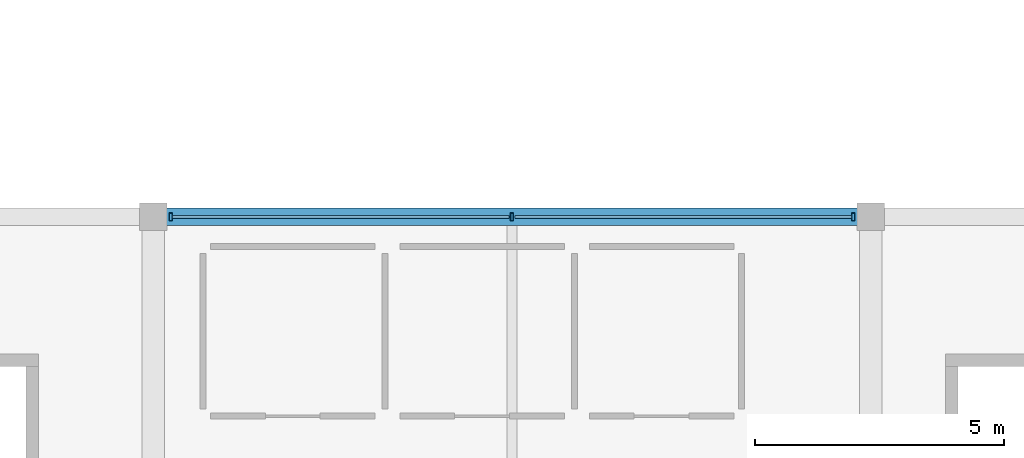
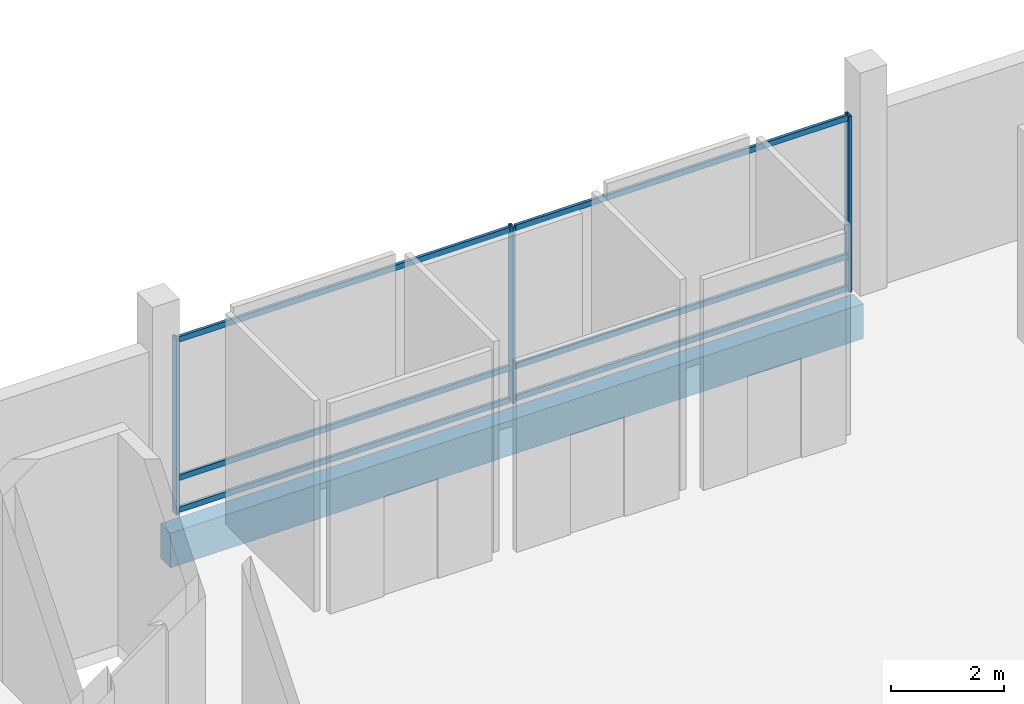
# One storey, part 17 of 116: 9 members, 1 beam, 1 element without a shape of its own.
"""IFC4 building model written with IfcOpenShell, lengths in metres."""

from ifc_helpers import new_model, si_unit, direction, frame, origin, origin_2d, place, context, subcontext, project, spatial, rectangle, hollow_rectangle, extrude, material, material_profile, profile_set, type_object, element, aggregate, save


model = new_model("IFC4")

# Units and contexts
model_context = context("Model", 3, precision=1e-05, world=origin(), true_north=direction((0.0, 1.0)))
body_context = subcontext(model_context, "Body", "Model", "MODEL_VIEW")
ifc_project = project(units=[si_unit("LENGTHUNIT", "METRE"), si_unit("AREAUNIT", "SQUARE_METRE"), si_unit("VOLUMEUNIT", "CUBIC_METRE"), si_unit("PLANEANGLEUNIT", "RADIAN"), si_unit("MASSUNIT", "GRAM", prefix="KILO")], contexts=[model_context])

# Site, building, storey
site_placement = place(None, origin())
site = spatial("IfcSite", under=ifc_project, at=site_placement, CompositionType="ELEMENT")
building_placement = place(site_placement, origin())
building = spatial("IfcBuilding", under=site, at=building_placement, Name="Cendralis Lancet Convention Centre", CompositionType="ELEMENT")
storey_placement = place(building_placement, frame((0.0, 0.0, 15.0)))
storey = spatial("IfcBuildingStorey", under=building, at=storey_placement, Name="L03", CompositionType="ELEMENT", Elevation=15.0)

# Curtain wall, members
ifc_material_1 = material(Name="Anodised bronze architectural aluminium", Category="aluminium")
curtain_wall_type = type_object("IfcCurtainWallType", Name="ARC-CW-CL02", PredefinedType="USERDEFINED", material=ifc_material_1)
curtain_wall_placement = place(storey_placement, origin())
curtain_wall = element("IfcCurtainWall", 1, at=curtain_wall_placement, inside=storey, type_object=curtain_wall_type, Name="L03 Curtain Wall CW-CL2 #176", ObjectType="CURTAIN WALL", PredefinedType="USERDEFINED")
ifc_material_profile_1 = material_profile(ifc_material_1, hollow_rectangle(XDim=0.06005859375, YDim=0.159912109375, WallThickness=0.00390625, at=origin_2d()), Name="AL-MULL 60x160x4.0")
ifc_profile_set_1 = profile_set([ifc_material_profile_1], Name="Anodised bronze architectural aluminium")
member_type_1 = type_object("IfcMemberType", Name="ARC-CW-ML01", PredefinedType="MULLION", material=ifc_profile_set_1)
member_1_placement = place(storey_placement, frame((43.554931640625, 36.0, 0.0), z_axis=(0.0, 0.0, 1.0), x_axis=(1.0, 0.0, 0.0)))
member_1 = element("IfcMember", 2, at=member_1_placement, type_object=member_type_1, Name="Mullion CW2-CW-CL2-L03-176-M0", PredefinedType="MULLION", context=body_context, shape_type="SweptSolid", body=[
    extrude(hollow_rectangle(XDim=0.06005859375, YDim=0.159912109375, WallThickness=0.00390625, at=origin_2d()), origin(), (0.0, 0.0, 1.0), 3.784912109375),
])
member_2_placement = place(storey_placement, frame((50.39990234375, 36.0, 0.0), z_axis=(0.0, 0.0, 1.0), x_axis=(1.0, 0.0, 0.0)))
member_2 = element("IfcMember", 3, at=member_2_placement, type_object=member_type_1, Name="Mullion CW2-CW-CL2-L03-176-M1", PredefinedType="MULLION", context=body_context, shape_type="SweptSolid", body=[
    extrude(hollow_rectangle(XDim=0.06005859375, YDim=0.159912109375, WallThickness=0.00390625, at=origin_2d()), origin(), (0.0, 0.0, 1.0), 3.784912109375),
])
member_3_placement = place(storey_placement, frame((57.2451171875, 36.0, 0.0), z_axis=(0.0, 0.0, 1.0), x_axis=(1.0, 0.0, 0.0)))
member_3 = element("IfcMember", 4, at=member_3_placement, type_object=member_type_1, Name="Mullion CW2-CW-CL2-L03-176-M2", PredefinedType="MULLION", context=body_context, shape_type="SweptSolid", body=[
    extrude(hollow_rectangle(XDim=0.06005859375, YDim=0.159912109375, WallThickness=0.00390625, at=origin_2d()), origin(), (0.0, 0.0, 1.0), 3.784912109375),
])
ifc_material_profile_2 = material_profile(ifc_material_1, hollow_rectangle(XDim=0.06005859375, YDim=0.1201171875, WallThickness=0.00390625, at=origin_2d()), Name="AL-TRAN 60x120x4.0")
ifc_profile_set_2 = profile_set([ifc_material_profile_2], Name="Anodised bronze architectural aluminium")
member_type_2 = type_object("IfcMemberType", Name="ARC-CW-TR01", PredefinedType="USERDEFINED", material=ifc_profile_set_2)
member_4_placement = place(storey_placement, frame((43.5849609375, 36.0, 0.06005859375), z_axis=(1.0, 0.0, 0.0), x_axis=(0.0, 1.0, 0.0)))
member_4 = element("IfcMember", 5, at=member_4_placement, type_object=member_type_2, Name="Transom CW2-CW-CL2-L03-176-T0BOT", ObjectType="TRANSOM", PredefinedType="USERDEFINED", context=body_context, shape_type="SweptSolid", body=[
    extrude(hollow_rectangle(XDim=0.06005859375, YDim=0.1201171875, WallThickness=0.00390625, at=origin_2d()), origin(), (0.0, 0.0, 1.0), 6.755126953125),
])
member_5_placement = place(storey_placement, frame((43.5849609375, 36.0, 0.75), z_axis=(1.0, 0.0, 0.0), x_axis=(0.0, 1.0, 0.0)))
member_5 = element("IfcMember", 6, at=member_5_placement, type_object=member_type_2, Name="Transom CW2-CW-CL2-L03-176-T0MID", ObjectType="TRANSOM", PredefinedType="USERDEFINED", context=body_context, shape_type="SweptSolid", body=[
    extrude(hollow_rectangle(XDim=0.06005859375, YDim=0.1201171875, WallThickness=0.00390625, at=origin_2d()), origin(), (0.0, 0.0, 1.0), 6.755126953125),
])
member_6_placement = place(storey_placement, frame((43.5849609375, 36.0, 3.72509765625), z_axis=(1.0, 0.0, 0.0), x_axis=(0.0, 1.0, 0.0)))
member_6 = element("IfcMember", 7, at=member_6_placement, type_object=member_type_2, Name="Transom CW2-CW-CL2-L03-176-T0TOP", ObjectType="TRANSOM", PredefinedType="USERDEFINED", context=body_context, shape_type="SweptSolid", body=[
    extrude(hollow_rectangle(XDim=0.06005859375, YDim=0.1201171875, WallThickness=0.00390625, at=origin_2d()), origin(), (0.0, 0.0, 1.0), 6.755126953125),
])
member_7_placement = place(storey_placement, frame((50.4599609375, 36.0, 0.06005859375), z_axis=(1.0, 0.0, 0.0), x_axis=(0.0, 1.0, 0.0)))
member_7 = element("IfcMember", 8, at=member_7_placement, type_object=member_type_2, Name="Transom CW2-CW-CL2-L03-176-T1BOT", ObjectType="TRANSOM", PredefinedType="USERDEFINED", context=body_context, shape_type="SweptSolid", body=[
    extrude(hollow_rectangle(XDim=0.06005859375, YDim=0.1201171875, WallThickness=0.00390625, at=origin_2d()), origin(), (0.0, 0.0, 1.0), 6.755126953125),
])
member_8_placement = place(storey_placement, frame((50.4599609375, 36.0, 0.75), z_axis=(1.0, 0.0, 0.0), x_axis=(0.0, 1.0, 0.0)))
member_8 = element("IfcMember", 9, at=member_8_placement, type_object=member_type_2, Name="Transom CW2-CW-CL2-L03-176-T1MID", ObjectType="TRANSOM", PredefinedType="USERDEFINED", context=body_context, shape_type="SweptSolid", body=[
    extrude(hollow_rectangle(XDim=0.06005859375, YDim=0.1201171875, WallThickness=0.00390625, at=origin_2d()), origin(), (0.0, 0.0, 1.0), 6.755126953125),
])
member_9_placement = place(storey_placement, frame((50.4599609375, 36.0, 3.72509765625), z_axis=(1.0, 0.0, 0.0), x_axis=(0.0, 1.0, 0.0)))
member_9 = element("IfcMember", 10, at=member_9_placement, type_object=member_type_2, Name="Transom CW2-CW-CL2-L03-176-T1TOP", ObjectType="TRANSOM", PredefinedType="USERDEFINED", context=body_context, shape_type="SweptSolid", body=[
    extrude(hollow_rectangle(XDim=0.06005859375, YDim=0.1201171875, WallThickness=0.00390625, at=origin_2d()), origin(), (0.0, 0.0, 1.0), 6.755126953125),
])
aggregate(curtain_wall, [member_1, member_2, member_3, member_4, member_5, member_6, member_7, member_8, member_9])

# Beam
ifc_material_2 = material(Name="Concrete G40 (C40/50)", Category="concrete")
ifc_material_profile_3 = material_profile(ifc_material_2, rectangle(XDim=0.35009765625, YDim=0.75, at=origin_2d()), Name="RCB 350x750")
ifc_profile_set_3 = profile_set([ifc_material_profile_3], Name="Concrete G40 (C40/50)")
beam_type = type_object("IfcBeamType", Name="STR-SP-SP01", PredefinedType="SPANDREL", material=ifc_profile_set_3)
beam_placement = place(storey_placement, frame((43.35009765625, 36.0, -0.635009765625), z_axis=(1.0, 0.0, 0.0), x_axis=(0.0, 1.0, 0.0)))
element("IfcBeam", 11, at=beam_placement, inside=storey, type_object=beam_type, Name="L03 Beam SP01 #0925", PredefinedType="SPANDREL", context=body_context, shape_type="SweptSolid", body=[
    extrude(rectangle(XDim=0.35009765625, YDim=0.75, at=origin_2d()), origin(), (0.0, 0.0, 1.0), 14.099853515625),
])

save(model, "model.ifc")
